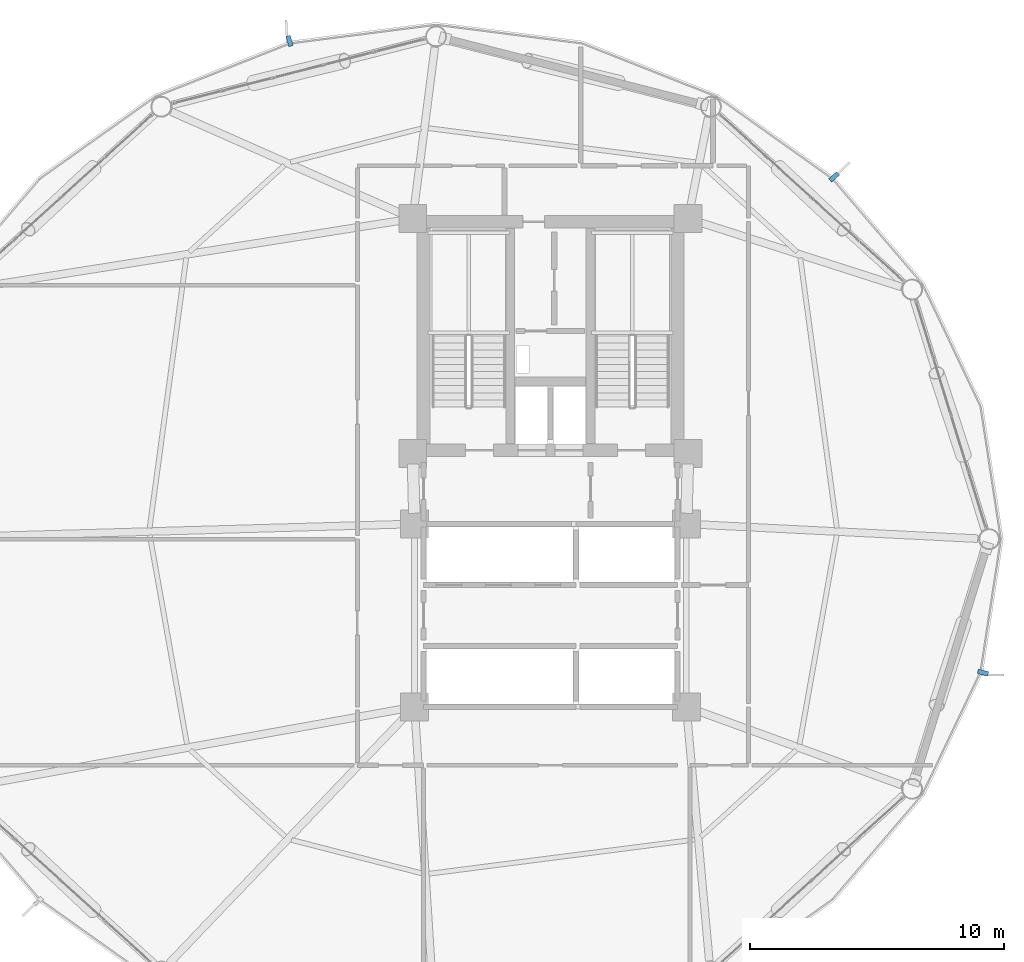
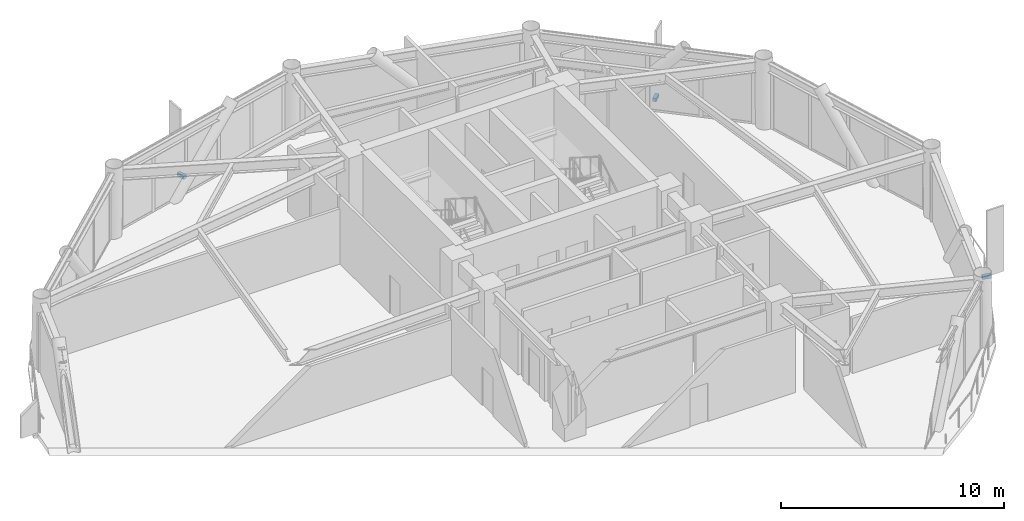
# One storey, part 22 of 25: 3 discrete accessories.
"""IFC4 building model written with IfcOpenShell, lengths in metres."""

from ifc_helpers import new_model, si_unit, direction, frame, origin, origin_2d, place, context, subcontext, project, spatial, rectangle, extrude, source, transform, mapped, material, type_object, type_shapes, element, save


model = new_model("IFC4")

# Units and contexts
model_context = context("Model", 3, precision=1e-05, world=origin(), true_north=direction((0.0, 1.0)))
body_context = subcontext(model_context, "Body", "Model", "MODEL_VIEW")
ifc_project = project(units=[si_unit("LENGTHUNIT", "METRE"), si_unit("AREAUNIT", "SQUARE_METRE"), si_unit("VOLUMEUNIT", "CUBIC_METRE"), si_unit("PLANEANGLEUNIT", "RADIAN"), si_unit("MASSUNIT", "GRAM", prefix="KILO")], contexts=[model_context])

# Site, building, storey
site_placement = place(None, origin())
site = spatial("IfcSite", under=ifc_project, at=site_placement, CompositionType="ELEMENT")
building_placement = place(site_placement, origin())
building = spatial("IfcBuilding", under=site, at=building_placement, Name="Varnakorn Sky Granary", CompositionType="ELEMENT")
storey_placement = place(building_placement, frame((0.0, 0.0, 91.5)))
storey = spatial("IfcBuildingStorey", under=building, at=storey_placement, Name="L22", CompositionType="ELEMENT", Elevation=91.5)

# Discrete accessories
ifc_material = material(Name="Steel S355JR", Category="steel")
discrete_accessory_type = type_object("IfcDiscreteAccessoryType", Name="AC-BRK-01", PredefinedType="BRACKET", material=ifc_material)
shared_shape = source(origin(), body_context, "Body", "SweptSolid", [
    extrude(rectangle(XDim=0.179931640625, YDim=0.419921875, at=origin_2d()), origin(), (0.0, 0.0, 1.0), 0.179931640625),
])
type_shapes(discrete_accessory_type, [shared_shape])
for number, where, z_axis, x_axis, name in (
    (1, (14.16845703125, 14.259765625, -0.2001953125), (0.0, 0.0, 1.0), (-0.673076492013, 0.739572873962, 0.0), "Facade Solar-Screen Outrigger Bracket L22-02"),
    (2, (-7.271484375, 19.6142578125, -0.2001953125), (0.0, 0.0, 1.0), (-0.959332591382, -0.28227819454, 0.0), "Facade Solar-Screen Outrigger Bracket L22-04"),
    (3, (20.029296875, -5.253173828125, -0.2001953125), (0.0, 0.0, 1.0), (0.237051016095, 0.971497203171, 0.0), "Facade Solar-Screen Outrigger Bracket L22-12"),
):
    element("IfcDiscreteAccessory", number, at=place(storey_placement, frame(where, z_axis=z_axis, x_axis=x_axis)), inside=storey, type_object=discrete_accessory_type, Name=name, PredefinedType="BRACKET", context=body_context, shape_type="MappedRepresentation", body=[
        mapped(shared_shape, transform((0.0, 0.0, 0.0), x_axis=(1.0, 0.0, 0.0), y_axis=(0.0, 1.0, 0.0), z_axis=(0.0, 0.0, 1.0), scale=1.0)),
    ])

save(model, "model.ifc")
